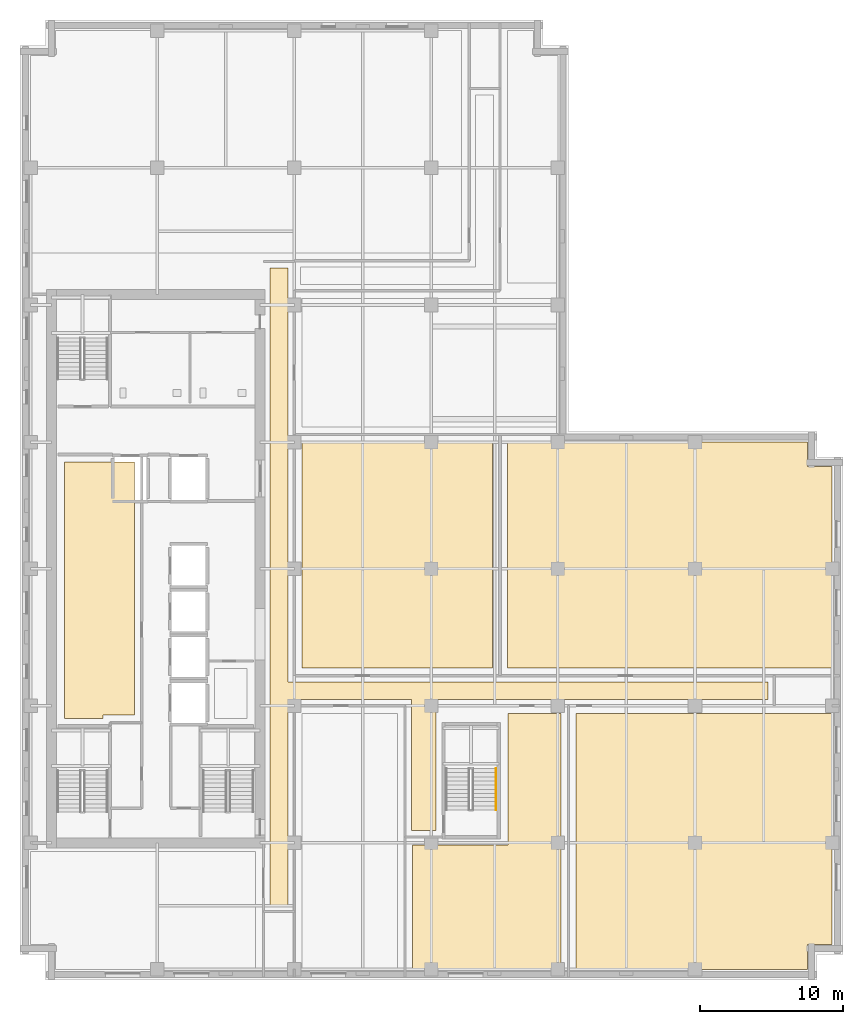
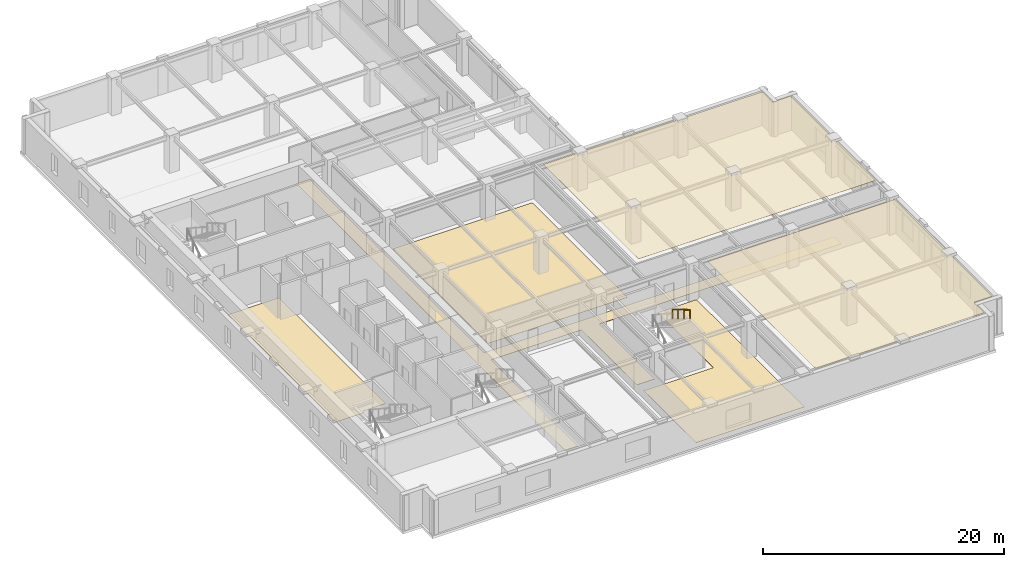
# One storey, part 10 of 13: 6 coverings, 1 railing.
"""IFC4 building model written with IfcOpenShell, lengths in metres."""

from ifc_helpers import new_model, si_unit, direction, frame, origin, origin_2d, place, context, subcontext, project, spatial, polyline, circle, outline, extrude, material, layer, layer_set, type_object, element, save


model = new_model("IFC4")

# Units and contexts
model_context = context("Model", 3, precision=1e-05, world=origin(), true_north=direction((0.0, 1.0)))
body_context = subcontext(model_context, "Body", "Model", "MODEL_VIEW")
ifc_project = project(units=[si_unit("LENGTHUNIT", "METRE"), si_unit("AREAUNIT", "SQUARE_METRE"), si_unit("VOLUMEUNIT", "CUBIC_METRE"), si_unit("PLANEANGLEUNIT", "RADIAN"), si_unit("MASSUNIT", "GRAM", prefix="KILO")], contexts=[model_context])

# Site, building, storey
site_placement = place(None, origin())
site = spatial("IfcSite", under=ifc_project, at=site_placement, CompositionType="ELEMENT")
building_placement = place(site_placement, origin())
building = spatial("IfcBuilding", under=site, at=building_placement, Name="Norrvale University Quadrangle", CompositionType="ELEMENT")
storey_placement = place(building_placement, frame((0.0, 0.0, 163.60009765625)))
storey = spatial("IfcBuildingStorey", under=building, at=storey_placement, Name="L41", CompositionType="ELEMENT", Elevation=163.60009765625)

# Coverings
ifc_material_1 = material(Name="Perforated Acoustic Mineral Ceiling")
ifc_layer_1 = layer(ifc_material_1, 0.02490234375, Name="Perforated Acoustic Mineral Ceiling")
ifc_layer_set_1 = layer_set([ifc_layer_1], Name="Perforated Acoustic Mineral Ceiling")
covering_type_1 = type_object("IfcCoveringType", Name="Covering Acoustic Ceiling 25", PredefinedType="CEILING", material=ifc_layer_set_1)
covering_1_placement = place(storey_placement, frame((0.0, 0.0, 3.514892578125)))
element("IfcCovering", 1, at=covering_1_placement, inside=storey, type_object=covering_type_1, Name="Acoustic Ceiling RM-L41-SE3", PredefinedType="CEILING", context=body_context, shape_type="SweptSolid", body=[
    extrude(outline(polyline([(38.929931640625, 0.75), (38.929931640625, 18.669921875), (56.85009765625, 18.669921875), (56.85009765625, 2.469970703125), (55.1298828125, 2.469970703125), (55.1298828125, 0.75), (38.929931640625, 0.75)])), origin(), (0.0, 0.0, 1.0), 0.02490234375),
])
covering_2_placement = place(storey_placement, frame((0.0, 0.0, 3.514892578125)))
element("IfcCovering", 2, at=covering_2_placement, inside=storey, type_object=covering_type_1, Name="Acoustic Ceiling RM-L41-ME02", PredefinedType="CEILING", context=body_context, shape_type="SweptSolid", body=[
    extrude(outline(polyline([(56.85009765625, 21.830078125), (34.1298828125, 21.830078125), (34.1298828125, 37.64990234375), (55.1298828125, 37.64990234375), (55.1298828125, 35.929931640625), (56.85009765625, 35.929931640625), (56.85009765625, 21.830078125)])), origin(), (0.0, 0.0, 1.0), 0.02490234375),
])
ifc_material_2 = material(Name="Polished Terrazzo Flooring")
ifc_layer_2 = layer(ifc_material_2, 0.02490234375, Name="Polished Terrazzo Flooring")
ifc_layer_set_2 = layer_set([ifc_layer_2], Name="Polished Terrazzo Flooring")
covering_type_2 = type_object("IfcCoveringType", Name="Covering Terrazzo Floor 30", PredefinedType="FLOORING", material=ifc_layer_set_2)
covering_3_placement = place(storey_placement, origin())
element("IfcCovering", 3, at=covering_3_placement, inside=storey, type_object=covering_type_2, Name="Terrazzo Flooring RM-L41-REC2", PredefinedType="FLOORING", context=body_context, shape_type="SweptSolid", body=[
    extrude(outline(polyline([(3.10009765625, 18.300048828125), (3.10009765625, 36.25), (8.0, 36.25), (8.0, 18.550048828125), (5.800048828125, 18.550048828125), (5.800048828125, 18.300048828125), (3.10009765625, 18.300048828125)])), origin(), (0.0, 0.0, 1.0), 0.02490234375),
])
covering_4_placement = place(storey_placement, origin())
element("IfcCovering", 4, at=covering_4_placement, inside=storey, type_object=covering_type_2, Name="Terrazzo Flooring RM-L41-CORR1", PredefinedType="FLOORING", context=body_context, shape_type="SweptSolid", body=[
    extrude(outline(polyline([(17.5, 5.25), (17.5, 49.85009765625), (18.75, 49.85009765625), (18.75, 20.85009765625), (52.35009765625, 20.85009765625), (52.35009765625, 19.64990234375), (29.1298828125, 19.64990234375), (29.1298828125, 10.449951171875), (27.39990234375, 10.449951171875), (27.39990234375, 19.64990234375), (18.75, 19.64990234375), (18.75, 5.25), (17.5, 5.25)])), origin(), (0.0, 0.0, 1.0), 0.02490234375),
])
covering_5_placement = place(storey_placement, origin())
element("IfcCovering", 5, at=covering_5_placement, inside=storey, type_object=covering_type_2, Name="Terrazzo Flooring RM-L41-SE2", PredefinedType="FLOORING", context=body_context, shape_type="SweptSolid", body=[
    extrude(outline(polyline([(27.47998046875, 9.449951171875), (34.14990234375, 9.449951171875), (34.14990234375, 18.669921875), (37.8701171875, 18.669921875), (37.8701171875, 0.75), (27.47998046875, 0.75), (27.47998046875, 9.449951171875)])), origin(), (0.0, 0.0, 1.0), 0.02490234375),
])
covering_6_placement = place(storey_placement, origin())
element("IfcCovering", 6, at=covering_6_placement, inside=storey, type_object=covering_type_2, Name="Terrazzo Flooring RM-L41-ME01", PredefinedType="FLOORING", context=body_context, shape_type="SweptSolid", body=[
    extrude(outline(polyline([(19.72998046875, 37.64990234375), (33.070068359375, 37.64990234375), (33.070068359375, 21.830078125), (19.72998046875, 21.830078125), (19.72998046875, 37.64990234375)])), origin(), (0.0, 0.0, 1.0), 0.02490234375),
])

# Railing
ifc_material_3 = material(Name="Stainless Steel 316L Handrail", Category="steel")
railing_type = type_object("IfcRailingType", Name="Railing Stair Handrail 920", PredefinedType="HANDRAIL", material=ifc_material_3)
railing_placement = place(storey_placement, frame((33.31005859375, 14.800048828125, 2.072509765625)))
element("IfcRailing", 7, at=railing_placement, inside=storey, type_object=railing_type, Name="Stair Upper Flight Handrail ST-04 L41", PredefinedType="HANDRAIL", context=body_context, shape_type="SweptSolid", body=[
    extrude(circle(Radius=0.02392578125, at=origin_2d()), frame((0.0, 0.0, 0.89599609375), z_axis=(0.0, -0.859160404282, 0.51170636083), x_axis=(1.0, 0.0, 0.0)), (0.0, 0.0, 1.0), 3.37548828125),
    extrude(circle(Radius=0.02099609375, at=origin_2d()), origin(), (0.0, 0.0, 1.0), 0.871826171875),
    extrude(circle(Radius=0.02099609375, at=origin_2d()), frame((0.0, -0.966796875, 0.57568359375)), (0.0, 0.0, 1.0), 0.871826171875),
    extrude(circle(Radius=0.02099609375, at=origin_2d()), frame((0.0, -1.933349609375, 1.151611328125)), (0.0, 0.0, 1.0), 0.871826171875),
    extrude(circle(Radius=0.02099609375, at=origin_2d()), frame((0.0, -2.900146484375, 1.727294921875)), (0.0, 0.0, 1.0), 0.871826171875),
])

save(model, "model.ifc")
